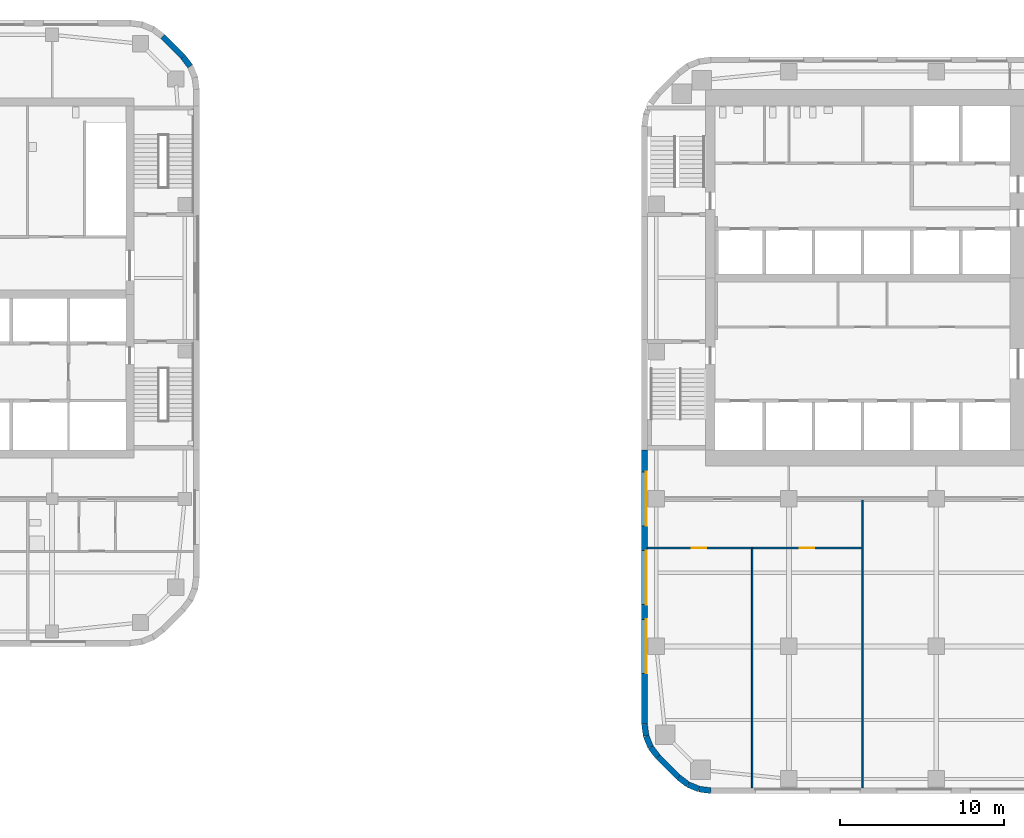
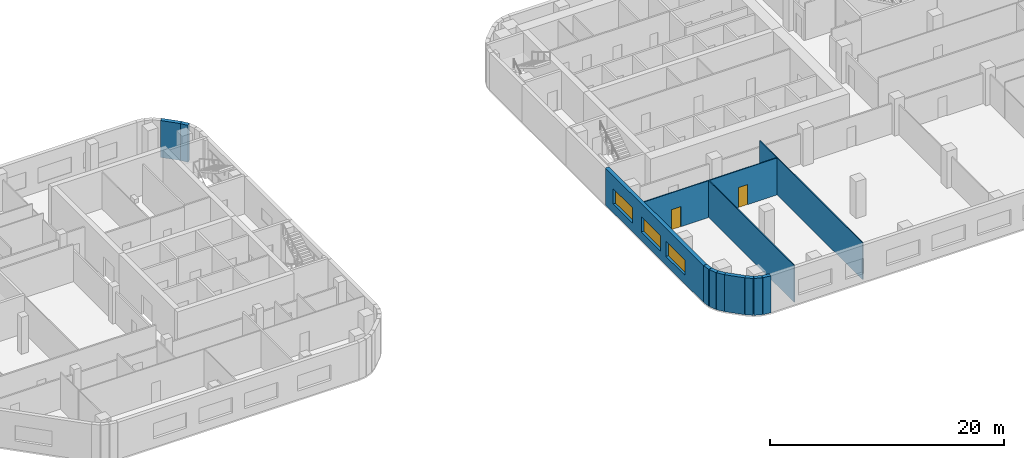
# One storey, part 8 of 16: 14 walls, 3 windows, 2 doors, 5 openings.
"""IFC4 building model written with IfcOpenShell, lengths in metres."""

import ifcopenshell
import ifcopenshell.guid

model = None  # the IFC model being written
_history = None  # IfcOwnerHistory: only IFC2X3 demands one
_inside = {}  # id of a spatial element -> (the spatial element, [elements in it])
_under = {}  # id of a project, library or spatial element -> (it, [spatial elements below it])
_declared = {}  # id of a project -> (the project, [libraries it declares])
_typed = {}  # id of a type object -> (the type object, [elements of that type])
_made_of = {}  # id of a material, layer set ... -> (it, [elements and type objects made of it])


def new_model(schema):
    """Start an empty IFC model of exactly this schema.

    Asked for "IFC4X3", IfcOpenShell would pick the latest addendum, in which some entities
    have other attributes; the version numbers below select the first issue.
    IFC2X3 requires an IfcOwnerHistory on every rooted entity: one is made here for all.
    """
    global model, _history
    if schema == "IFC4X3":
        model = ifcopenshell.file(schema_version=(4, 3, 0, 0))
    else:
        model = ifcopenshell.file(schema=schema)
    _inside.clear()
    _under.clear()
    _declared.clear()
    _typed.clear()
    _made_of.clear()
    _history = None
    if model.schema == "IFC2X3":
        org = make("IfcOrganization", Name="unknown")
        user = make(
            "IfcPersonAndOrganization",
            ThePerson=make("IfcPerson", FamilyName="unknown"),
            TheOrganization=org,
        )
        app = make(
            "IfcApplication",
            ApplicationDeveloper=org,
            Version="unknown",
            ApplicationFullName="unknown",
            ApplicationIdentifier="unknown",
        )
        _history = make(
            "IfcOwnerHistory",
            OwningUser=user,
            OwningApplication=app,
            ChangeAction="ADDED",
            CreationDate=0,
        )
    return model


def make(cls, **values):
    """One entity of the class cls with the attributes given. An attribute that is None is left unset."""
    return model.create_entity(
        cls, **{name: value for name, value in values.items() if value is not None}
    )


def rooted(cls, **values):
    """An entity with a GlobalId (a new one), such as an element, a storey or a relation."""
    return make(cls, GlobalId=ifcopenshell.guid.new(), OwnerHistory=_history, **values)


def si_unit(unit_type, name, prefix=None):
    """IfcSIUnit, for example si_unit("LENGTHUNIT", "METRE", prefix="MILLI")."""
    return make("IfcSIUnit", UnitType=unit_type, Prefix=prefix, Name=name)


def assignment(units):
    """IfcUnitAssignment: the units of a project."""
    return None if units is None else make("IfcUnitAssignment", Units=units)


def point(xyz):
    """IfcCartesianPoint."""
    return None if xyz is None else make("IfcCartesianPoint", Coordinates=xyz)


def direction(xyz):
    """IfcDirection."""
    return None if xyz is None else make("IfcDirection", DirectionRatios=xyz)


def frame(location, z_axis=None, x_axis=None):
    """IfcAxis2Placement3D, a coordinate frame: its origin and axes. An axis left out is left unset."""
    return make(
        "IfcAxis2Placement3D",
        Location=point(location),
        Axis=direction(z_axis),
        RefDirection=direction(x_axis),
    )


def frame_2d(location, x_axis=None):
    """IfcAxis2Placement2D, a coordinate frame in the plane: its origin and x axis."""
    return make(
        "IfcAxis2Placement2D", Location=point(location), RefDirection=direction(x_axis)
    )


def origin():
    """The frame at (0, 0, 0) with its axes left unset."""
    return frame((0.0, 0.0, 0.0))


def place(relative_to, where):
    """IfcLocalPlacement: puts the frame where relative to a parent placement (None: the world)."""
    return make(
        "IfcLocalPlacement", PlacementRelTo=relative_to, RelativePlacement=where
    )


def context(
    kind, dimensions, precision=None, world=None, true_north=None, identifier=None
):
    """IfcGeometricRepresentationContext, for example the 3D "Model" context."""
    return make(
        "IfcGeometricRepresentationContext",
        ContextIdentifier=identifier,
        ContextType=kind,
        CoordinateSpaceDimension=dimensions,
        Precision=precision,
        WorldCoordinateSystem=world,
        TrueNorth=true_north,
    )


def subcontext(parent, identifier, kind, view, scale=None):
    """IfcGeometricRepresentationSubContext, for example "Body" below "Model"."""
    return make(
        "IfcGeometricRepresentationSubContext",
        ContextIdentifier=identifier,
        ContextType=kind,
        ParentContext=parent,
        TargetScale=scale,
        TargetView=view,
    )


def project(units=None, contexts=None):
    """IfcProject with its units and contexts."""
    return rooted(
        "IfcProject",
        Name="project",
        RepresentationContexts=contexts,
        UnitsInContext=assignment(units),
    )


def spatial(cls, under=None, at=None, **own):
    """A site, building, storey or space (cls), placed at a placement, below another one or the project."""
    s = rooted(cls, ObjectPlacement=at, **own)
    if under is not None:
        _under.setdefault(under.id(), (under, []))[1].append(s)
    return s


def profile(cls, at=None, kind="AREA", **sizes):
    """A parametric profile (cls). Its sizes go by their IFC names, for example OverallWidth=200.0."""
    return make(cls, ProfileType=kind, Position=at, **sizes)


def rectangle(**sizes):
    """IfcRectangleProfileDef."""
    return profile("IfcRectangleProfileDef", **sizes)


def extrude(swept, where, along, depth):
    """IfcExtrudedAreaSolid: the profile swept, set in the frame where, extruded along a direction by depth."""
    return make(
        "IfcExtrudedAreaSolid",
        SweptArea=swept,
        Position=where,
        ExtrudedDirection=direction(along),
        Depth=depth,
    )


def shape(context_of_items, identifier, shape_type, items):
    """IfcShapeRepresentation: the items that make up one representation, for example the "Body"."""
    return make(
        "IfcShapeRepresentation",
        ContextOfItems=context_of_items,
        RepresentationIdentifier=identifier,
        RepresentationType=shape_type,
        Items=items,
    )


def material(Name=None, Category=None):
    """IfcMaterial."""
    return make("IfcMaterial", Name=Name, Category=Category)


def layer(
    of_material, thickness, ventilated=None, Name=None, Category=None, Priority=None
):
    """IfcMaterialLayer: one layer of a wall or slab, of a material (None: an air gap)."""
    return make(
        "IfcMaterialLayer",
        Material=of_material,
        LayerThickness=thickness,
        IsVentilated=ventilated,
        Name=Name,
        Category=Category,
        Priority=Priority,
    )


def layer_set(layers, Name=None):
    """IfcMaterialLayerSet."""
    return make("IfcMaterialLayerSet", MaterialLayers=layers, LayerSetName=Name)


def made_of(thing, what):
    """Note that an element or type object is made of a material, layer set ...; save() writes the relation."""
    if what is not None:
        _made_of.setdefault(what.id(), (what, []))[1].append(thing)
    return thing


def type_object(cls, material=None, **own):
    """A type object (cls), such as IfcWallType, which elements share."""
    return made_of(rooted(cls, **own), material)


def element(
    cls,
    number,
    at=None,
    inside=None,
    cuts=None,
    type_object=None,
    material=None,
    context=None,
    identifier="Body",
    shape_type=None,
    held_by="IfcProductDefinitionShape",
    body=None,
    shapes=None,
    **own,
):
    """One element of the class cls, such as IfcWall. Its Tag is "e" and its number.

    at: its placement. inside: the storey or other place that contains it. cuts: it is an
    opening in that element (IfcRelVoidsElement). A single representation is given by context,
    identifier, shape_type and body (its items); several are given by shapes. held_by: the class
    of the entity that holds the representations. save() writes the other relations.
    """
    e = rooted(cls, Tag="e%d" % number, ObjectPlacement=at, **own)
    if body is not None:
        shapes = [shape(context, identifier, shape_type, body)]
    if shapes is not None:
        e.Representation = make(held_by, Representations=shapes)
    if inside is not None:
        _inside.setdefault(inside.id(), (inside, []))[1].append(e)
    if cuts is not None:
        rooted(
            "IfcRelVoidsElement", RelatingBuildingElement=cuts, RelatedOpeningElement=e
        )
    if type_object is not None:
        _typed.setdefault(type_object.id(), (type_object, []))[1].append(e)
    return made_of(e, material)


def fill(opening, filler):
    """IfcRelFillsElement: the door or window that sits in an opening."""
    return rooted(
        "IfcRelFillsElement",
        RelatingOpeningElement=opening,
        RelatedBuildingElement=filler,
    )


def aggregate(whole, parts):
    """IfcRelAggregates: a whole, such as a stair, and the parts it consists of."""
    return rooted("IfcRelAggregates", RelatingObject=whole, RelatedObjects=parts)


def save(model, path):
    """Write the relations noted so far, then the file.

    IfcRelAggregates (storeys below a building ...), IfcRelContainedInSpatialStructure (elements
    in a storey), IfcRelDefinesByType, IfcRelAssociatesMaterial and IfcRelDeclares: one each for
    every whole, place, type object, material and project.
    """
    for whole, parts in _under.values():
        aggregate(whole, parts)
    for where, things in _inside.values():
        rooted(
            "IfcRelContainedInSpatialStructure",
            RelatedElements=things,
            RelatingStructure=where,
        )
    for kind, things in _typed.values():
        rooted("IfcRelDefinesByType", RelatedObjects=things, RelatingType=kind)
    for what, things in _made_of.values():
        rooted("IfcRelAssociatesMaterial", RelatedObjects=things, RelatingMaterial=what)
    for by, libraries in _declared.values():
        rooted("IfcRelDeclares", RelatingContext=by, RelatedDefinitions=libraries)
    model.write(path)


model = new_model("IFC4")

# Units and contexts
model_context = context("Model", 3, precision=1e-05, world=origin(), true_north=direction((0.0, 1.0)))
body_context = subcontext(model_context, "Body", "Model", "MODEL_VIEW")
ifc_project = project(units=[si_unit("LENGTHUNIT", "METRE"), si_unit("AREAUNIT", "SQUARE_METRE"), si_unit("VOLUMEUNIT", "CUBIC_METRE"), si_unit("PLANEANGLEUNIT", "RADIAN"), si_unit("MASSUNIT", "GRAM", prefix="KILO")], contexts=[model_context])

# Site, building, storey
site_placement = place(None, origin())
site = spatial("IfcSite", under=ifc_project, at=site_placement, CompositionType="ELEMENT")
building_placement = place(site_placement, origin())
building = spatial("IfcBuilding", under=site, at=building_placement, Name="Cinnabar Reach Civic Tower", CompositionType="ELEMENT")
storey_placement = place(building_placement, frame((0.0, 0.0, 79.0)))
storey = spatial("IfcBuildingStorey", under=building, at=storey_placement, Name="L18", CompositionType="ELEMENT", Elevation=79.0)

# Walls
ifc_material_1 = material(Name="Facing brick with insulated backing", Category="masonry")
ifc_layer_1 = layer(ifc_material_1, 0.36)
ifc_layer_set_1 = layer_set([ifc_layer_1], Name="Brick corner wall")
wall_type_1 = type_object("IfcWallType", Name="Brick corner wall", PredefinedType="STANDARD", material=ifc_layer_set_1)
for number, where, z_axis, x_axis, name in (
    (1, (0.183, 4.2314, 0.0), (0.0, 0.0, 1.0), (0.13055608231, -0.99144092581, 0.0), "Brick corner wall"),
    (2, (0.2819, 3.5027, 0.0), (0.0, 0.0, 1.0), (0.382702709855, -0.923871547278, 0.0), "Brick corner wall"),
):
    element("IfcWall", number, at=place(storey_placement, frame(where, z_axis=z_axis, x_axis=x_axis)), inside=storey, type_object=wall_type_1, Name=name, PredefinedType="STANDARD", context=body_context, shape_type="SweptSolid", body=[
        extrude(rectangle(XDim=0.7131, YDim=0.36, at=frame_2d((0.3565, 0.0))), origin(), (0.0, 0.0, 1.0), 3.85),
    ])
for number, where, z_axis, x_axis, name in (
    (3, (0.566, 2.8245, 0.0), (0.0, 0.0, 1.0), (0.608802368033, -0.793321924995, 0.0), "Brick corner wall"),
    (4, (2.2587, 1.0002, 0.0), (0.0, 0.0, 1.0), (0.793321924995, -0.608802368033, 0.0), "Brick corner wall"),
):
    element("IfcWall", number, at=place(storey_placement, frame(where, z_axis=z_axis, x_axis=x_axis)), inside=storey, type_object=wall_type_1, Name=name, PredefinedType="STANDARD", context=body_context, shape_type="SweptSolid", body=[
        extrude(rectangle(XDim=0.7132, YDim=0.36, at=frame_2d((0.3566, 0.0))), origin(), (0.0, 0.0, 1.0), 3.85),
    ])
for number, where, z_axis, x_axis, name in (
    (5, (2.8439, 0.5548, 0.0), (0.0, 0.0, 1.0), (0.923871547278, -0.382702709855, 0.0), "Brick corner wall"),
    (6, (3.5244, 0.2761, 0.0), (0.0, 0.0, 1.0), (0.99144092581, -0.13055608231, 0.0), "Brick corner wall"),
):
    element("IfcWall", number, at=place(storey_placement, frame(where, z_axis=z_axis, x_axis=x_axis)), inside=storey, type_object=wall_type_1, Name=name, PredefinedType="STANDARD", context=body_context, shape_type="SweptSolid", body=[
        extrude(rectangle(XDim=0.7131, YDim=0.36, at=frame_2d((0.3565, 0.0))), origin(), (0.0, 0.0, 1.0), 3.85),
    ])
wall_1_placement = place(storey_placement, frame((-27.566, 44.4255, 0.0), z_axis=(0.0, 0.0, 1.0), x_axis=(-0.608802368033, 0.793321924995, 0.0)))
element("IfcWall", 7, at=wall_1_placement, inside=storey, type_object=wall_type_1, Name="Brick corner wall", PredefinedType="STANDARD", context=body_context, shape_type="SweptSolid", body=[
    extrude(rectangle(XDim=0.7132, YDim=0.36, at=frame_2d((0.3566, 0.0))), origin(), (0.0, 0.0, 1.0), 3.85),
])

# Wall, openings, windows
ifc_layer_2 = layer(ifc_material_1, 0.36)
ifc_layer_set_2 = layer_set([ifc_layer_2], Name="Brick pier and spandrel wall")
wall_type_2 = type_object("IfcWallType", Name="Brick pier and spandrel wall", PredefinedType="STANDARD", material=ifc_layer_set_2)
wall_2_placement = place(storey_placement, frame((0.18, 21.0, 0.0), z_axis=(0.0, 0.0, 1.0), x_axis=(0.0, -1.0, 0.0)))
wall_2 = element("IfcWall", 8, at=wall_2_placement, inside=storey, type_object=wall_type_2, Name="Brick facade wall", PredefinedType="STANDARD", context=body_context, shape_type="SweptSolid", body=[
    extrude(rectangle(XDim=16.7574, YDim=0.36, at=frame_2d((8.3787, 0.0))), origin(), (0.0, 0.0, 1.0), 3.85),
])
opening_1_placement = place(wall_2_placement, frame((1.35, 0.0, 0.9)))
opening_1 = element("IfcOpeningElement", 9, at=opening_1_placement, cuts=wall_2, Name="Opening W1372", PredefinedType="OPENING", context=body_context, shape_type="SweptSolid", body=[
    extrude(rectangle(XDim=3.3, YDim=1.6, at=frame_2d((1.65, 0.8))), frame((0.0, 0.19, 0.0), z_axis=(0.0, -1.0, 0.0), x_axis=(1.0, 0.0, 0.0)), (0.0, 0.0, 1.0), 0.38),
])
opening_2_placement = place(wall_2_placement, frame((6.15, 0.0, 0.9)))
opening_2 = element("IfcOpeningElement", 10, at=opening_2_placement, cuts=wall_2, Name="Opening W1373", PredefinedType="OPENING", context=body_context, shape_type="SweptSolid", body=[
    extrude(rectangle(XDim=3.3, YDim=1.6, at=frame_2d((1.65, 0.8))), frame((0.0, 0.19, 0.0), z_axis=(0.0, -1.0, 0.0), x_axis=(1.0, 0.0, 0.0)), (0.0, 0.0, 1.0), 0.38),
])
opening_3_placement = place(wall_2_placement, frame((10.35, 0.0, 0.9)))
opening_3 = element("IfcOpeningElement", 11, at=opening_3_placement, cuts=wall_2, Name="Opening W1374", PredefinedType="OPENING", context=body_context, shape_type="SweptSolid", body=[
    extrude(rectangle(XDim=3.3, YDim=1.6, at=frame_2d((1.65, 0.8))), frame((0.0, 0.19, 0.0), z_axis=(0.0, -1.0, 0.0), x_axis=(1.0, 0.0, 0.0)), (0.0, 0.0, 1.0), 0.38),
])
ifc_material_2 = material(Name="Clear double glazing in aluminium frame", Category="aluminium")
window_type = type_object("IfcWindowType", Name="Deep-set window A", PartitioningType="SINGLE_PANEL", PredefinedType="WINDOW", material=ifc_material_2)
window_1_placement = place(opening_1_placement, origin())
window_1 = element("IfcWindow", 12, at=window_1_placement, inside=storey, type_object=window_type, Name="Window west face", OverallHeight=1.6, OverallWidth=3.3, PartitioningType="SINGLE_PANEL", PredefinedType="WINDOW", context=body_context, shape_type="SweptSolid", body=[
    extrude(rectangle(XDim=3.3, YDim=1.6, at=frame_2d((1.65, 0.8))), frame((0.0, 0.13, 0.0), z_axis=(0.0, -1.0, 0.0), x_axis=(1.0, 0.0, 0.0)), (0.0, 0.0, 1.0), 0.06),
])
fill(opening_1, window_1)
window_2_placement = place(opening_2_placement, origin())
window_2 = element("IfcWindow", 13, at=window_2_placement, inside=storey, type_object=window_type, Name="Window west face", OverallHeight=1.6, OverallWidth=3.3, PartitioningType="SINGLE_PANEL", PredefinedType="WINDOW", context=body_context, shape_type="SweptSolid", body=[
    extrude(rectangle(XDim=3.3, YDim=1.6, at=frame_2d((1.65, 0.8))), frame((0.0, 0.13, 0.0), z_axis=(0.0, -1.0, 0.0), x_axis=(1.0, 0.0, 0.0)), (0.0, 0.0, 1.0), 0.06),
])
fill(opening_2, window_2)
window_3_placement = place(opening_3_placement, origin())
window_3 = element("IfcWindow", 14, at=window_3_placement, inside=storey, type_object=window_type, Name="Window west face", OverallHeight=1.6, OverallWidth=3.3, PartitioningType="SINGLE_PANEL", PredefinedType="WINDOW", context=body_context, shape_type="SweptSolid", body=[
    extrude(rectangle(XDim=3.3, YDim=1.6, at=frame_2d((1.65, 0.8))), frame((0.0, 0.13, 0.0), z_axis=(0.0, -1.0, 0.0), x_axis=(1.0, 0.0, 0.0)), (0.0, 0.0, 1.0), 0.06),
])
fill(opening_3, window_3)

# Walls
for number, where, z_axis, x_axis, name in (
    (15, (1.006, 2.2486, 0.0), (0.0, 0.0, 1.0), (0.707106781187, -0.707106781187, 0.0), "Brick facade wall"),
    (16, (-28.006, 45.0014, 0.0), (0.0, 0.0, 1.0), (-0.707106781187, 0.707106781187, 0.0), "Brick facade wall"),
):
    element("IfcWall", number, at=place(storey_placement, frame(where, z_axis=z_axis, x_axis=x_axis)), inside=storey, type_object=wall_type_2, Name=name, PredefinedType="STANDARD", context=body_context, shape_type="SweptSolid", body=[
        extrude(rectangle(XDim=1.7573, YDim=0.36, at=frame_2d((0.8787, 0.0))), origin(), (0.0, 0.0, 1.0), 3.85),
    ])
ifc_material_3 = material(Name="Gypsum board on steel studs", Category="steel")
ifc_layer_3 = layer(ifc_material_3, 0.1)
ifc_layer_set_3 = layer_set([ifc_layer_3], Name="Partition wall 100 T1")
wall_type_3 = type_object("IfcWallType", Name="Partition wall 100 T1", PredefinedType="PARTITIONING", material=ifc_layer_set_3)
wall_3_placement = place(storey_placement, frame((13.5, 0.36, 0.0), z_axis=(0.0, 0.0, 1.0), x_axis=(0.0, 1.0, 0.0)))
element("IfcWall", 17, at=wall_3_placement, inside=storey, type_object=wall_type_3, Name="Partition wall 47", PredefinedType="PARTITIONING", context=body_context, shape_type="SweptSolid", body=[
    extrude(rectangle(XDim=17.565, YDim=0.1, at=frame_2d((8.7825, 0.0))), origin(), (0.0, 0.0, 1.0), 3.85),
])
wall_4_placement = place(storey_placement, frame((6.75, 0.36, 0.0), z_axis=(0.0, 0.0, 1.0), x_axis=(0.0, 1.0, 0.0)))
element("IfcWall", 18, at=wall_4_placement, inside=storey, type_object=wall_type_3, Name="Partition wall 53", PredefinedType="PARTITIONING", context=body_context, shape_type="SweptSolid", body=[
    extrude(rectangle(XDim=14.69, YDim=0.1, at=frame_2d((7.345, 0.0))), origin(), (0.0, 0.0, 1.0), 3.85),
])

# Wall, opening, door
wall_5_placement = place(storey_placement, frame((6.8, 15.0, 0.0), z_axis=(0.0, 0.0, 1.0), x_axis=(1.0, 0.0, 0.0)))
wall_5 = element("IfcWall", 19, at=wall_5_placement, inside=storey, type_object=wall_type_3, Name="Partition wall 54", PredefinedType="PARTITIONING", context=body_context, shape_type="SweptSolid", body=[
    extrude(rectangle(XDim=6.65, YDim=0.1, at=frame_2d((3.325, 0.0))), origin(), (0.0, 0.0, 1.0), 3.85),
])
opening_4_placement = place(wall_5_placement, frame((2.85, 0.0, 0.0)))
opening_4 = element("IfcOpeningElement", 20, at=opening_4_placement, cuts=wall_5, Name="Opening D3745", PredefinedType="OPENING", context=body_context, shape_type="SweptSolid", body=[
    extrude(rectangle(XDim=0.9, YDim=2.1, at=frame_2d((0.45, 1.05))), frame((0.0, 0.06, 0.0), z_axis=(0.0, -1.0, 0.0), x_axis=(1.0, 0.0, 0.0)), (0.0, 0.0, 1.0), 0.12),
])
ifc_material_4 = material(Name="Timber door leaf in steel frame", Category="steel")
door_type = type_object("IfcDoorType", Name="Single swing door 900 x 2100 T1", OperationType="SINGLE_SWING_LEFT", PredefinedType="DOOR", material=ifc_material_4)
door_1_placement = place(opening_4_placement, origin())
door_1 = element("IfcDoor", 21, at=door_1_placement, inside=storey, type_object=door_type, Name="Door D3745", OperationType="SINGLE_SWING_LEFT", OverallHeight=2.1, OverallWidth=0.9, PredefinedType="DOOR", context=body_context, shape_type="SweptSolid", body=[
    extrude(rectangle(XDim=0.9, YDim=2.1, at=frame_2d((0.45, 1.05))), frame((0.0, 0.025, 0.0), z_axis=(0.0, -1.0, 0.0), x_axis=(1.0, 0.0, 0.0)), (0.0, 0.0, 1.0), 0.05),
])
fill(opening_4, door_1)

wall_6_placement = place(storey_placement, frame((0.36, 15.0, 0.0), z_axis=(0.0, 0.0, 1.0), x_axis=(1.0, 0.0, 0.0)))
wall_6 = element("IfcWall", 22, at=wall_6_placement, inside=storey, type_object=wall_type_3, Name="Partition wall 55", PredefinedType="PARTITIONING", context=body_context, shape_type="SweptSolid", body=[
    extrude(rectangle(XDim=6.34, YDim=0.1, at=frame_2d((3.17, 0.0))), origin(), (0.0, 0.0, 1.0), 3.85),
])
opening_5_placement = place(wall_6_placement, frame((2.7, 0.0, 0.0)))
opening_5 = element("IfcOpeningElement", 23, at=opening_5_placement, cuts=wall_6, Name="Opening D3744", PredefinedType="OPENING", context=body_context, shape_type="SweptSolid", body=[
    extrude(rectangle(XDim=0.9, YDim=2.1, at=frame_2d((0.45, 1.05))), frame((0.0, 0.06, 0.0), z_axis=(0.0, -1.0, 0.0), x_axis=(1.0, 0.0, 0.0)), (0.0, 0.0, 1.0), 0.12),
])
door_2_placement = place(opening_5_placement, origin())
door_2 = element("IfcDoor", 24, at=door_2_placement, inside=storey, type_object=door_type, Name="Door D3744", OperationType="SINGLE_SWING_RIGHT", OverallHeight=2.1, OverallWidth=0.9, PredefinedType="DOOR", context=body_context, shape_type="SweptSolid", body=[
    extrude(rectangle(XDim=0.9, YDim=2.1, at=frame_2d((0.45, 1.05))), frame((0.0, 0.025, 0.0), z_axis=(0.0, -1.0, 0.0), x_axis=(1.0, 0.0, 0.0)), (0.0, 0.0, 1.0), 0.05),
])
fill(opening_5, door_2)

save(model, "model.ifc")
